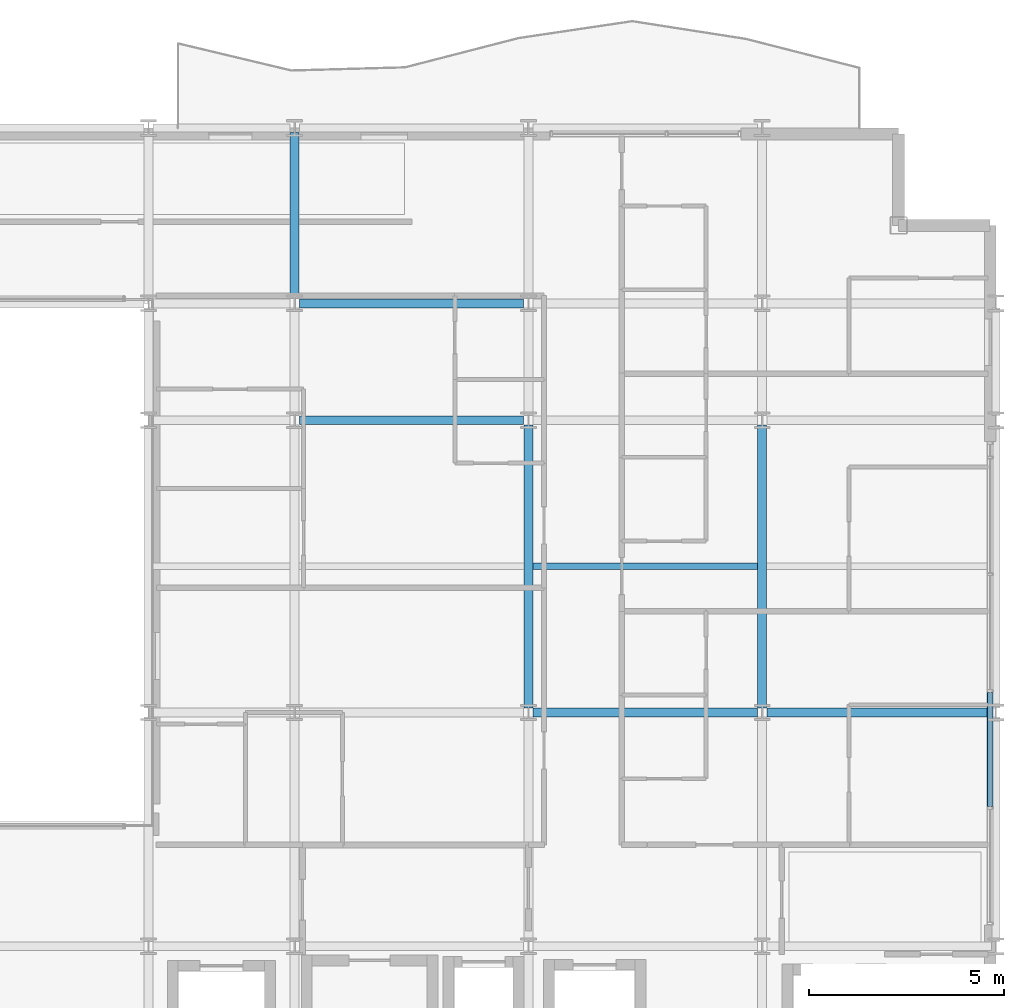
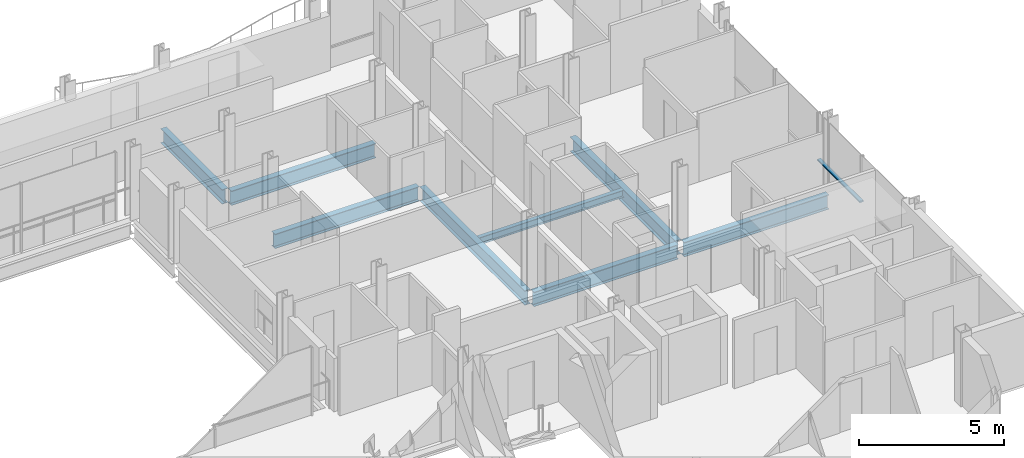
# One storey, part 18 of 41: 8 beams, 1 member, 1 element without a shape of its own.
"""IFC4 building model written with IfcOpenShell, lengths in metres."""

import ifcopenshell
import ifcopenshell.guid

model = None  # the IFC model being written
_history = None  # IfcOwnerHistory: only IFC2X3 demands one
_inside = {}  # id of a spatial element -> (the spatial element, [elements in it])
_under = {}  # id of a project, library or spatial element -> (it, [spatial elements below it])
_declared = {}  # id of a project -> (the project, [libraries it declares])
_typed = {}  # id of a type object -> (the type object, [elements of that type])
_made_of = {}  # id of a material, layer set ... -> (it, [elements and type objects made of it])


def new_model(schema):
    """Start an empty IFC model of exactly this schema.

    Asked for "IFC4X3", IfcOpenShell would pick the latest addendum, in which some entities
    have other attributes; the version numbers below select the first issue.
    IFC2X3 requires an IfcOwnerHistory on every rooted entity: one is made here for all.
    """
    global model, _history
    if schema == "IFC4X3":
        model = ifcopenshell.file(schema_version=(4, 3, 0, 0))
    else:
        model = ifcopenshell.file(schema=schema)
    _inside.clear()
    _under.clear()
    _declared.clear()
    _typed.clear()
    _made_of.clear()
    _history = None
    if model.schema == "IFC2X3":
        org = make("IfcOrganization", Name="unknown")
        user = make(
            "IfcPersonAndOrganization",
            ThePerson=make("IfcPerson", FamilyName="unknown"),
            TheOrganization=org,
        )
        app = make(
            "IfcApplication",
            ApplicationDeveloper=org,
            Version="unknown",
            ApplicationFullName="unknown",
            ApplicationIdentifier="unknown",
        )
        _history = make(
            "IfcOwnerHistory",
            OwningUser=user,
            OwningApplication=app,
            ChangeAction="ADDED",
            CreationDate=0,
        )
    return model


def make(cls, **values):
    """One entity of the class cls with the attributes given. An attribute that is None is left unset."""
    return model.create_entity(
        cls, **{name: value for name, value in values.items() if value is not None}
    )


def rooted(cls, **values):
    """An entity with a GlobalId (a new one), such as an element, a storey or a relation."""
    return make(cls, GlobalId=ifcopenshell.guid.new(), OwnerHistory=_history, **values)


def si_unit(unit_type, name, prefix=None):
    """IfcSIUnit, for example si_unit("LENGTHUNIT", "METRE", prefix="MILLI")."""
    return make("IfcSIUnit", UnitType=unit_type, Prefix=prefix, Name=name)


def assignment(units):
    """IfcUnitAssignment: the units of a project."""
    return None if units is None else make("IfcUnitAssignment", Units=units)


def point(xyz):
    """IfcCartesianPoint."""
    return None if xyz is None else make("IfcCartesianPoint", Coordinates=xyz)


def direction(xyz):
    """IfcDirection."""
    return None if xyz is None else make("IfcDirection", DirectionRatios=xyz)


def frame(location, z_axis=None, x_axis=None):
    """IfcAxis2Placement3D, a coordinate frame: its origin and axes. An axis left out is left unset."""
    return make(
        "IfcAxis2Placement3D",
        Location=point(location),
        Axis=direction(z_axis),
        RefDirection=direction(x_axis),
    )


def frame_2d(location, x_axis=None):
    """IfcAxis2Placement2D, a coordinate frame in the plane: its origin and x axis."""
    return make(
        "IfcAxis2Placement2D", Location=point(location), RefDirection=direction(x_axis)
    )


def origin():
    """The frame at (0, 0, 0) with its axes left unset."""
    return frame((0.0, 0.0, 0.0))


def origin_2d():
    """The frame at (0, 0) in the plane with its x axis left unset."""
    return frame_2d((0.0, 0.0))


def place(relative_to, where):
    """IfcLocalPlacement: puts the frame where relative to a parent placement (None: the world)."""
    return make(
        "IfcLocalPlacement", PlacementRelTo=relative_to, RelativePlacement=where
    )


def context(
    kind, dimensions, precision=None, world=None, true_north=None, identifier=None
):
    """IfcGeometricRepresentationContext, for example the 3D "Model" context."""
    return make(
        "IfcGeometricRepresentationContext",
        ContextIdentifier=identifier,
        ContextType=kind,
        CoordinateSpaceDimension=dimensions,
        Precision=precision,
        WorldCoordinateSystem=world,
        TrueNorth=true_north,
    )


def subcontext(parent, identifier, kind, view, scale=None):
    """IfcGeometricRepresentationSubContext, for example "Body" below "Model"."""
    return make(
        "IfcGeometricRepresentationSubContext",
        ContextIdentifier=identifier,
        ContextType=kind,
        ParentContext=parent,
        TargetScale=scale,
        TargetView=view,
    )


def project(units=None, contexts=None):
    """IfcProject with its units and contexts."""
    return rooted(
        "IfcProject",
        Name="project",
        RepresentationContexts=contexts,
        UnitsInContext=assignment(units),
    )


def spatial(cls, under=None, at=None, **own):
    """A site, building, storey or space (cls), placed at a placement, below another one or the project."""
    s = rooted(cls, ObjectPlacement=at, **own)
    if under is not None:
        _under.setdefault(under.id(), (under, []))[1].append(s)
    return s


def profile(cls, at=None, kind="AREA", **sizes):
    """A parametric profile (cls). Its sizes go by their IFC names, for example OverallWidth=200.0."""
    return make(cls, ProfileType=kind, Position=at, **sizes)


def hollow_rectangle(**sizes):
    """IfcRectangleHollowProfileDef."""
    return profile("IfcRectangleHollowProfileDef", **sizes)


def i_section(**sizes):
    """IfcIShapeProfileDef."""
    return profile("IfcIShapeProfileDef", **sizes)


def extrude(swept, where, along, depth):
    """IfcExtrudedAreaSolid: the profile swept, set in the frame where, extruded along a direction by depth."""
    return make(
        "IfcExtrudedAreaSolid",
        SweptArea=swept,
        Position=where,
        ExtrudedDirection=direction(along),
        Depth=depth,
    )


def shape(context_of_items, identifier, shape_type, items):
    """IfcShapeRepresentation: the items that make up one representation, for example the "Body"."""
    return make(
        "IfcShapeRepresentation",
        ContextOfItems=context_of_items,
        RepresentationIdentifier=identifier,
        RepresentationType=shape_type,
        Items=items,
    )


def material(Name=None, Category=None):
    """IfcMaterial."""
    return make("IfcMaterial", Name=Name, Category=Category)


def layer(
    of_material, thickness, ventilated=None, Name=None, Category=None, Priority=None
):
    """IfcMaterialLayer: one layer of a wall or slab, of a material (None: an air gap)."""
    return make(
        "IfcMaterialLayer",
        Material=of_material,
        LayerThickness=thickness,
        IsVentilated=ventilated,
        Name=Name,
        Category=Category,
        Priority=Priority,
    )


def layer_set(layers, Name=None):
    """IfcMaterialLayerSet."""
    return make("IfcMaterialLayerSet", MaterialLayers=layers, LayerSetName=Name)


def material_profile(
    of_material, cross_section, Name=None, Category=None, Priority=None
):
    """IfcMaterialProfile: a cross section and its material."""
    return make(
        "IfcMaterialProfile",
        Name=Name,
        Material=of_material,
        Profile=cross_section,
        Priority=Priority,
        Category=Category,
    )


def profile_set(profiles, Name=None, composite=None):
    """IfcMaterialProfileSet."""
    return make(
        "IfcMaterialProfileSet",
        Name=Name,
        MaterialProfiles=profiles,
        CompositeProfile=composite,
    )


def made_of(thing, what):
    """Note that an element or type object is made of a material, layer set ...; save() writes the relation."""
    if what is not None:
        _made_of.setdefault(what.id(), (what, []))[1].append(thing)
    return thing


def type_object(cls, material=None, **own):
    """A type object (cls), such as IfcWallType, which elements share."""
    return made_of(rooted(cls, **own), material)


def element(
    cls,
    number,
    at=None,
    inside=None,
    cuts=None,
    type_object=None,
    material=None,
    context=None,
    identifier="Body",
    shape_type=None,
    held_by="IfcProductDefinitionShape",
    body=None,
    shapes=None,
    **own,
):
    """One element of the class cls, such as IfcWall. Its Tag is "e" and its number.

    at: its placement. inside: the storey or other place that contains it. cuts: it is an
    opening in that element (IfcRelVoidsElement). A single representation is given by context,
    identifier, shape_type and body (its items); several are given by shapes. held_by: the class
    of the entity that holds the representations. save() writes the other relations.
    """
    e = rooted(cls, Tag="e%d" % number, ObjectPlacement=at, **own)
    if body is not None:
        shapes = [shape(context, identifier, shape_type, body)]
    if shapes is not None:
        e.Representation = make(held_by, Representations=shapes)
    if inside is not None:
        _inside.setdefault(inside.id(), (inside, []))[1].append(e)
    if cuts is not None:
        rooted(
            "IfcRelVoidsElement", RelatingBuildingElement=cuts, RelatedOpeningElement=e
        )
    if type_object is not None:
        _typed.setdefault(type_object.id(), (type_object, []))[1].append(e)
    return made_of(e, material)


def aggregate(whole, parts):
    """IfcRelAggregates: a whole, such as a stair, and the parts it consists of."""
    return rooted("IfcRelAggregates", RelatingObject=whole, RelatedObjects=parts)


def save(model, path):
    """Write the relations noted so far, then the file.

    IfcRelAggregates (storeys below a building ...), IfcRelContainedInSpatialStructure (elements
    in a storey), IfcRelDefinesByType, IfcRelAssociatesMaterial and IfcRelDeclares: one each for
    every whole, place, type object, material and project.
    """
    for whole, parts in _under.values():
        aggregate(whole, parts)
    for where, things in _inside.values():
        rooted(
            "IfcRelContainedInSpatialStructure",
            RelatedElements=things,
            RelatingStructure=where,
        )
    for kind, things in _typed.values():
        rooted("IfcRelDefinesByType", RelatedObjects=things, RelatingType=kind)
    for what, things in _made_of.values():
        rooted("IfcRelAssociatesMaterial", RelatedObjects=things, RelatingMaterial=what)
    for by, libraries in _declared.values():
        rooted("IfcRelDeclares", RelatingContext=by, RelatedDefinitions=libraries)
    model.write(path)


model = new_model("IFC4")

# Units and contexts
model_context = context("Model", 3, precision=1e-05, world=origin(), true_north=direction((0.0, 1.0)))
body_context = subcontext(model_context, "Body", "Model", "MODEL_VIEW")
ifc_project = project(units=[si_unit("LENGTHUNIT", "METRE"), si_unit("AREAUNIT", "SQUARE_METRE"), si_unit("VOLUMEUNIT", "CUBIC_METRE"), si_unit("PLANEANGLEUNIT", "RADIAN"), si_unit("MASSUNIT", "GRAM", prefix="KILO")], contexts=[model_context])

# Site, building, storey
site_placement = place(None, origin())
site = spatial("IfcSite", under=ifc_project, at=site_placement, CompositionType="ELEMENT")
building_placement = place(site_placement, origin())
building = spatial("IfcBuilding", under=site, at=building_placement, Name="Brevholm Reach", CompositionType="ELEMENT")
storey_placement = place(building_placement, frame((0.0, 0.0, 106.60009765625)))
storey = spatial("IfcBuildingStorey", under=building, at=storey_placement, Name="L31", CompositionType="ELEMENT", Elevation=106.60009765625)

# Beams
ifc_material_1 = material(Name="Structural Steel S355J2", Category="steel")
ifc_material_profile_1 = material_profile(ifc_material_1, i_section(OverallWidth=0.1650390625, OverallDepth=0.303466796875, WebThickness=0.006103515625, FlangeThickness=0.01025390625, FilletRadius=0.0087890625, at=origin_2d()), Name="UKB 305x165x40")
ifc_profile_set_1 = profile_set([ifc_material_profile_1], Name="Structural Steel S355J2")
beam_type_1 = type_object("IfcBeamType", Name="BM-B305", PredefinedType="BEAM", material=ifc_profile_set_1)
beam_1_placement = place(storey_placement, frame((48.114501953125, 19.75, -0.371826171875), z_axis=(1.0, 0.0, 0.0), x_axis=(0.0, 1.0, 0.0)))
element("IfcBeam", 1, at=beam_1_placement, inside=storey, type_object=beam_type_1, Name="L31 Composite Secondary Floor Beam", PredefinedType="BEAM", context=body_context, shape_type="SweptSolid", body=[
    extrude(i_section(OverallWidth=0.1650390625, OverallDepth=0.303466796875, WebThickness=0.006103515625, FlangeThickness=0.01025390625, FilletRadius=0.0087890625, at=origin_2d()), origin(), (0.0, 0.0, 1.0), 5.77099609375),
])
ifc_material_2 = material(Name="Structural Steel S355J2", Category="steel")
ifc_material_profile_2 = material_profile(ifc_material_2, i_section(OverallWidth=0.22900390625, OverallDepth=0.6123046875, WebThickness=0.011962890625, FlangeThickness=0.01953125, FilletRadius=0.0126953125, at=origin_2d()), Name="UKB 610x229x125")
ifc_profile_set_2 = profile_set([ifc_material_profile_2], Name="Structural Steel S355J2")
beam_type_2 = type_object("IfcBeamType", Name="BM-SP610", PredefinedType="SPANDREL", material=ifc_profile_set_2)
for number, where, z_axis, x_axis, name in (
    (2, (48.1201171875, 16.0, -0.526123046875), (1.0, 0.0, 0.0), (0.0, 1.0, 0.0), "L31 SP-01 Framing Beam"),
    (3, (54.1201171875, 16.0, -0.526123046875), (1.0, 0.0, 0.0), (0.0, 1.0, 0.0), "L31 SP-01 Framing Beam"),
    (4, (42.1201171875, 23.5, -0.526123046875), (1.0, 0.0, 0.0), (0.0, 1.0, 0.0), "L31 SP-01 Framing Beam"),
    (5, (42.1201171875, 26.5, -0.526123046875), (1.0, 0.0, 0.0), (0.0, 1.0, 0.0), "L31 SP-01 Framing Beam"),
):
    element("IfcBeam", number, at=place(storey_placement, frame(where, z_axis=z_axis, x_axis=x_axis)), inside=storey, type_object=beam_type_2, Name=name, PredefinedType="SPANDREL", context=body_context, shape_type="SweptSolid", body=[
        extrude(i_section(OverallWidth=0.22900390625, OverallDepth=0.6123046875, WebThickness=0.011962890625, FlangeThickness=0.01953125, FilletRadius=0.0126953125, at=origin_2d()), origin(), (0.0, 0.0, 1.0), 5.759765625),
    ])
beam_2_placement = place(storey_placement, frame((42.0, 26.6201171875, -0.526123046875), z_axis=(0.0, 1.0, 0.0), x_axis=(-1.0, 0.0, 0.0)))
element("IfcBeam", 6, at=beam_2_placement, inside=storey, type_object=beam_type_2, Name="L31 SP-01 Framing Beam", PredefinedType="SPANDREL", context=body_context, shape_type="SweptSolid", body=[
    extrude(i_section(OverallWidth=0.22900390625, OverallDepth=0.6123046875, WebThickness=0.011962890625, FlangeThickness=0.01953125, FilletRadius=0.0126953125, at=origin_2d()), origin(), (0.0, 0.0, 1.0), 4.259765625),
])
for number, where, z_axis, x_axis, name in (
    (7, (48.0, 16.1201171875, -0.526123046875), (0.0, 1.0, 0.0), (-1.0, 0.0, 0.0), "L31 SP-01 Framing Beam"),
    (8, (54.0, 16.1201171875, -0.526123046875), (0.0, 1.0, 0.0), (-1.0, 0.0, 0.0), "L31 SP-01 Framing Beam"),
):
    element("IfcBeam", number, at=place(storey_placement, frame(where, z_axis=z_axis, x_axis=x_axis)), inside=storey, type_object=beam_type_2, Name=name, PredefinedType="SPANDREL", context=body_context, shape_type="SweptSolid", body=[
        extrude(i_section(OverallWidth=0.22900390625, OverallDepth=0.6123046875, WebThickness=0.011962890625, FlangeThickness=0.01953125, FilletRadius=0.0126953125, at=origin_2d()), origin(), (0.0, 0.0, 1.0), 7.259765625),
    ])

# Curtain wall, member
ifc_material_3 = material(Name="Dark Anodised Aluminium 6063-T6 and Solar-Control Glass", Category="aluminium")
ifc_layer = layer(ifc_material_3, 0.14990234375)
ifc_layer_set = layer_set([ifc_layer], Name="Dark Anodised Aluminium 6063-T6 and Solar-Control Glass")
curtain_wall_type = type_object("IfcCurtainWallType", Name="CW-01", PredefinedType="NOTDEFINED", material=ifc_layer_set)
curtain_wall_placement = place(storey_placement, origin())
curtain_wall = element("IfcCurtainWall", 9, at=curtain_wall_placement, inside=storey, type_object=curtain_wall_type, Name="L31 Curtain Wall CW-01", PredefinedType="NOTDEFINED")
ifc_material_4 = material(Name="Dark Anodised Aluminium 6063-T6", Category="aluminium")
ifc_material_profile_3 = material_profile(ifc_material_4, hollow_rectangle(XDim=0.06494140625, YDim=0.14990234375, WallThickness=0.0048828125, InnerFilletRadius=0.0048828125, OuterFilletRadius=0.010009765625, at=origin_2d()), Name="RHS 150x65x5")
ifc_profile_set_3 = profile_set([ifc_material_profile_3], Name="Dark Anodised Aluminium 6063-T6")
member_type = type_object("IfcMemberType", Name="CWT-150", PredefinedType="NOTDEFINED", material=ifc_profile_set_3)
member_placement = place(storey_placement, frame((59.85009765625, 13.58251953125, 0.89990234375), z_axis=(0.0, 1.0, 0.0), x_axis=(0.0, 0.0, 1.0)))
member = element("IfcMember", 10, at=member_placement, type_object=member_type, Name="CT-150 Transom 2.1", ObjectType="TRANSOM", PredefinedType="USERDEFINED", context=body_context, shape_type="SweptSolid", body=[
    extrude(hollow_rectangle(XDim=0.06494140625, YDim=0.14990234375, WallThickness=0.0048828125, InnerFilletRadius=0.0048828125, OuterFilletRadius=0.010009765625, at=origin_2d()), origin(), (0.0, 0.0, 1.0), 2.93505859375),
])
aggregate(curtain_wall, [member])

save(model, "model.ifc")
